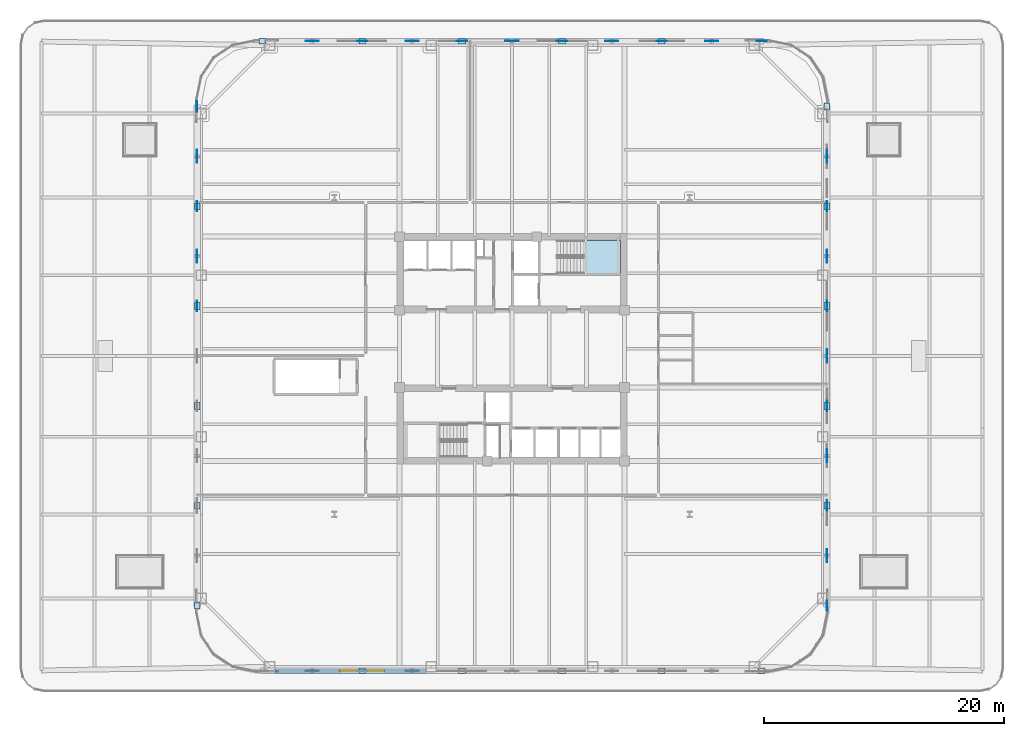
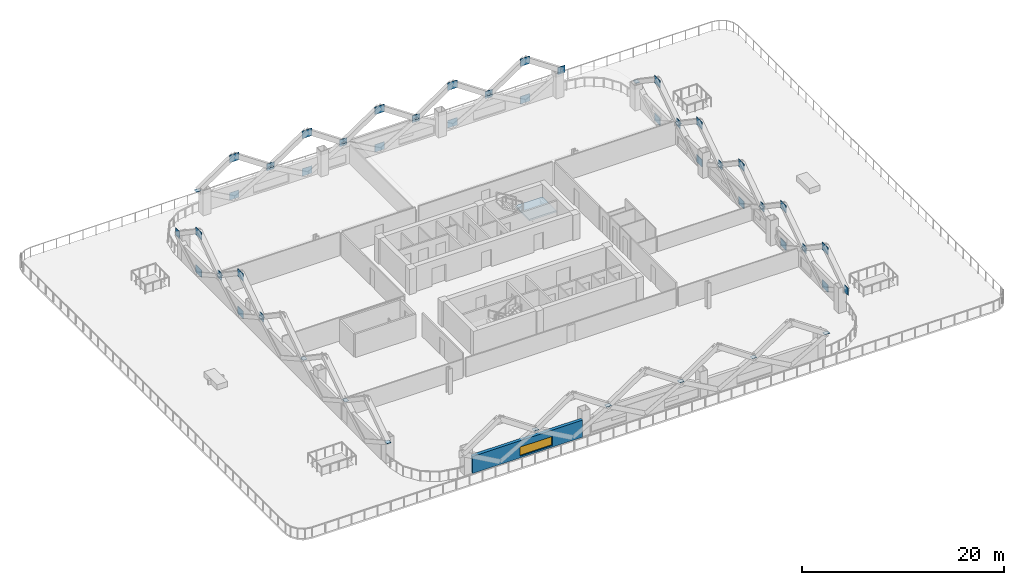
# One storey, part 6 of 17: 57 plates, 1 slab, 1 wall, 1 window, 1 opening, 1 element without a shape of its own.
"""IFC4 building model written with IfcOpenShell, lengths in metres."""

import ifcopenshell
import ifcopenshell.guid

model = None  # the IFC model being written
_history = None  # IfcOwnerHistory: only IFC2X3 demands one
_inside = {}  # id of a spatial element -> (the spatial element, [elements in it])
_under = {}  # id of a project, library or spatial element -> (it, [spatial elements below it])
_declared = {}  # id of a project -> (the project, [libraries it declares])
_typed = {}  # id of a type object -> (the type object, [elements of that type])
_made_of = {}  # id of a material, layer set ... -> (it, [elements and type objects made of it])


def new_model(schema):
    """Start an empty IFC model of exactly this schema.

    Asked for "IFC4X3", IfcOpenShell would pick the latest addendum, in which some entities
    have other attributes; the version numbers below select the first issue.
    IFC2X3 requires an IfcOwnerHistory on every rooted entity: one is made here for all.
    """
    global model, _history
    if schema == "IFC4X3":
        model = ifcopenshell.file(schema_version=(4, 3, 0, 0))
    else:
        model = ifcopenshell.file(schema=schema)
    _inside.clear()
    _under.clear()
    _declared.clear()
    _typed.clear()
    _made_of.clear()
    _history = None
    if model.schema == "IFC2X3":
        org = make("IfcOrganization", Name="unknown")
        user = make(
            "IfcPersonAndOrganization",
            ThePerson=make("IfcPerson", FamilyName="unknown"),
            TheOrganization=org,
        )
        app = make(
            "IfcApplication",
            ApplicationDeveloper=org,
            Version="unknown",
            ApplicationFullName="unknown",
            ApplicationIdentifier="unknown",
        )
        _history = make(
            "IfcOwnerHistory",
            OwningUser=user,
            OwningApplication=app,
            ChangeAction="ADDED",
            CreationDate=0,
        )
    return model


def make(cls, **values):
    """One entity of the class cls with the attributes given. An attribute that is None is left unset."""
    return model.create_entity(
        cls, **{name: value for name, value in values.items() if value is not None}
    )


def rooted(cls, **values):
    """An entity with a GlobalId (a new one), such as an element, a storey or a relation."""
    return make(cls, GlobalId=ifcopenshell.guid.new(), OwnerHistory=_history, **values)


def si_unit(unit_type, name, prefix=None):
    """IfcSIUnit, for example si_unit("LENGTHUNIT", "METRE", prefix="MILLI")."""
    return make("IfcSIUnit", UnitType=unit_type, Prefix=prefix, Name=name)


def assignment(units):
    """IfcUnitAssignment: the units of a project."""
    return None if units is None else make("IfcUnitAssignment", Units=units)


def point(xyz):
    """IfcCartesianPoint."""
    return None if xyz is None else make("IfcCartesianPoint", Coordinates=xyz)


def direction(xyz):
    """IfcDirection."""
    return None if xyz is None else make("IfcDirection", DirectionRatios=xyz)


def frame(location, z_axis=None, x_axis=None):
    """IfcAxis2Placement3D, a coordinate frame: its origin and axes. An axis left out is left unset."""
    return make(
        "IfcAxis2Placement3D",
        Location=point(location),
        Axis=direction(z_axis),
        RefDirection=direction(x_axis),
    )


def frame_2d(location, x_axis=None):
    """IfcAxis2Placement2D, a coordinate frame in the plane: its origin and x axis."""
    return make(
        "IfcAxis2Placement2D", Location=point(location), RefDirection=direction(x_axis)
    )


def origin():
    """The frame at (0, 0, 0) with its axes left unset."""
    return frame((0.0, 0.0, 0.0))


def origin_2d():
    """The frame at (0, 0) in the plane with its x axis left unset."""
    return frame_2d((0.0, 0.0))


def place(relative_to, where):
    """IfcLocalPlacement: puts the frame where relative to a parent placement (None: the world)."""
    return make(
        "IfcLocalPlacement", PlacementRelTo=relative_to, RelativePlacement=where
    )


def context(
    kind, dimensions, precision=None, world=None, true_north=None, identifier=None
):
    """IfcGeometricRepresentationContext, for example the 3D "Model" context."""
    return make(
        "IfcGeometricRepresentationContext",
        ContextIdentifier=identifier,
        ContextType=kind,
        CoordinateSpaceDimension=dimensions,
        Precision=precision,
        WorldCoordinateSystem=world,
        TrueNorth=true_north,
    )


def subcontext(parent, identifier, kind, view, scale=None):
    """IfcGeometricRepresentationSubContext, for example "Body" below "Model"."""
    return make(
        "IfcGeometricRepresentationSubContext",
        ContextIdentifier=identifier,
        ContextType=kind,
        ParentContext=parent,
        TargetScale=scale,
        TargetView=view,
    )


def project(units=None, contexts=None):
    """IfcProject with its units and contexts."""
    return rooted(
        "IfcProject",
        Name="project",
        RepresentationContexts=contexts,
        UnitsInContext=assignment(units),
    )


def spatial(cls, under=None, at=None, **own):
    """A site, building, storey or space (cls), placed at a placement, below another one or the project."""
    s = rooted(cls, ObjectPlacement=at, **own)
    if under is not None:
        _under.setdefault(under.id(), (under, []))[1].append(s)
    return s


def polyline(points):
    """IfcPolyline through the points."""
    return make("IfcPolyline", Points=[point(p) for p in points])


def profile(cls, at=None, kind="AREA", **sizes):
    """A parametric profile (cls). Its sizes go by their IFC names, for example OverallWidth=200.0."""
    return make(cls, ProfileType=kind, Position=at, **sizes)


def rectangle(**sizes):
    """IfcRectangleProfileDef."""
    return profile("IfcRectangleProfileDef", **sizes)


def outline(outer, holes=None, kind="AREA"):
    """IfcArbitraryClosedProfileDef: a profile drawn as a closed curve; with holes, ...WithVoids."""
    if holes is None:
        return make("IfcArbitraryClosedProfileDef", ProfileType=kind, OuterCurve=outer)
    return make(
        "IfcArbitraryProfileDefWithVoids",
        ProfileType=kind,
        OuterCurve=outer,
        InnerCurves=holes,
    )


def extrude(swept, where, along, depth):
    """IfcExtrudedAreaSolid: the profile swept, set in the frame where, extruded along a direction by depth."""
    return make(
        "IfcExtrudedAreaSolid",
        SweptArea=swept,
        Position=where,
        ExtrudedDirection=direction(along),
        Depth=depth,
    )


def shape(context_of_items, identifier, shape_type, items):
    """IfcShapeRepresentation: the items that make up one representation, for example the "Body"."""
    return make(
        "IfcShapeRepresentation",
        ContextOfItems=context_of_items,
        RepresentationIdentifier=identifier,
        RepresentationType=shape_type,
        Items=items,
    )


def material(Name=None, Category=None):
    """IfcMaterial."""
    return make("IfcMaterial", Name=Name, Category=Category)


def layer(
    of_material, thickness, ventilated=None, Name=None, Category=None, Priority=None
):
    """IfcMaterialLayer: one layer of a wall or slab, of a material (None: an air gap)."""
    return make(
        "IfcMaterialLayer",
        Material=of_material,
        LayerThickness=thickness,
        IsVentilated=ventilated,
        Name=Name,
        Category=Category,
        Priority=Priority,
    )


def layer_set(layers, Name=None):
    """IfcMaterialLayerSet."""
    return make("IfcMaterialLayerSet", MaterialLayers=layers, LayerSetName=Name)


def made_of(thing, what):
    """Note that an element or type object is made of a material, layer set ...; save() writes the relation."""
    if what is not None:
        _made_of.setdefault(what.id(), (what, []))[1].append(thing)
    return thing


def type_object(cls, material=None, **own):
    """A type object (cls), such as IfcWallType, which elements share."""
    return made_of(rooted(cls, **own), material)


def element(
    cls,
    number,
    at=None,
    inside=None,
    cuts=None,
    type_object=None,
    material=None,
    context=None,
    identifier="Body",
    shape_type=None,
    held_by="IfcProductDefinitionShape",
    body=None,
    shapes=None,
    **own,
):
    """One element of the class cls, such as IfcWall. Its Tag is "e" and its number.

    at: its placement. inside: the storey or other place that contains it. cuts: it is an
    opening in that element (IfcRelVoidsElement). A single representation is given by context,
    identifier, shape_type and body (its items); several are given by shapes. held_by: the class
    of the entity that holds the representations. save() writes the other relations.
    """
    e = rooted(cls, Tag="e%d" % number, ObjectPlacement=at, **own)
    if body is not None:
        shapes = [shape(context, identifier, shape_type, body)]
    if shapes is not None:
        e.Representation = make(held_by, Representations=shapes)
    if inside is not None:
        _inside.setdefault(inside.id(), (inside, []))[1].append(e)
    if cuts is not None:
        rooted(
            "IfcRelVoidsElement", RelatingBuildingElement=cuts, RelatedOpeningElement=e
        )
    if type_object is not None:
        _typed.setdefault(type_object.id(), (type_object, []))[1].append(e)
    return made_of(e, material)


def fill(opening, filler):
    """IfcRelFillsElement: the door or window that sits in an opening."""
    return rooted(
        "IfcRelFillsElement",
        RelatingOpeningElement=opening,
        RelatedBuildingElement=filler,
    )


def aggregate(whole, parts):
    """IfcRelAggregates: a whole, such as a stair, and the parts it consists of."""
    return rooted("IfcRelAggregates", RelatingObject=whole, RelatedObjects=parts)


def save(model, path):
    """Write the relations noted so far, then the file.

    IfcRelAggregates (storeys below a building ...), IfcRelContainedInSpatialStructure (elements
    in a storey), IfcRelDefinesByType, IfcRelAssociatesMaterial and IfcRelDeclares: one each for
    every whole, place, type object, material and project.
    """
    for whole, parts in _under.values():
        aggregate(whole, parts)
    for where, things in _inside.values():
        rooted(
            "IfcRelContainedInSpatialStructure",
            RelatedElements=things,
            RelatingStructure=where,
        )
    for kind, things in _typed.values():
        rooted("IfcRelDefinesByType", RelatedObjects=things, RelatingType=kind)
    for what, things in _made_of.values():
        rooted("IfcRelAssociatesMaterial", RelatedObjects=things, RelatingMaterial=what)
    for by, libraries in _declared.values():
        rooted("IfcRelDeclares", RelatingContext=by, RelatedDefinitions=libraries)
    model.write(path)


model = new_model("IFC4")

# Units and contexts
model_context = context("Model", 3, precision=1e-05, world=origin(), true_north=direction((0.0, 1.0)))
body_context = subcontext(model_context, "Body", "Model", "MODEL_VIEW")
ifc_project = project(units=[si_unit("LENGTHUNIT", "METRE"), si_unit("AREAUNIT", "SQUARE_METRE"), si_unit("VOLUMEUNIT", "CUBIC_METRE"), si_unit("PLANEANGLEUNIT", "RADIAN"), si_unit("MASSUNIT", "GRAM", prefix="KILO")], contexts=[model_context])

# Site, building, storey
site_placement = place(None, origin())
site = spatial("IfcSite", under=ifc_project, at=site_placement, CompositionType="ELEMENT")
building_placement = place(site_placement, origin())
building = spatial("IfcBuilding", under=site, at=building_placement, Name="Qhalaya Broadcast Tower", CompositionType="ELEMENT")
storey_placement = place(building_placement, frame((0.0, 0.0, 26.10009765625)))
storey = spatial("IfcBuildingStorey", under=building, at=storey_placement, Name="L06", CompositionType="ELEMENT", Elevation=26.10009765625)

# Plates
ifc_material_1 = material(Name="Structural Steel ASTM A572 Grade 50", Category="steel")
ifc_layer_1 = layer(ifc_material_1, 0.054931640625, Name="Structural Steel ASTM A572 Grade 50")
ifc_layer_set_1 = layer_set([ifc_layer_1], Name="Structural Steel ASTM A572 Grade 50")
plate_type_1 = type_object("IfcPlateType", Name="Exoskeleton Diamond Node Gusset Plate NP-01", PredefinedType="USERDEFINED", material=ifc_layer_set_1)
for number, where, z_axis, x_axis, name in (
    (1, (26.239990234375, -16.639892578125, 0.2099609375), (0.0, 0.0, 1.0), (0.0, 1.0, 0.0), "Exoskeleton Diamond Node B1-E1-BOT"),
    (2, (26.239990234375, -16.639892578125, 4.75), (0.0, 0.0, 1.0), (0.0, 1.0, 0.0), "Exoskeleton Diamond Node B1-E1-TOP"),
):
    element("IfcPlate", number, at=place(storey_placement, frame(where, z_axis=z_axis, x_axis=x_axis)), inside=storey, type_object=plate_type_1, Name=name, ObjectType="GUSSET_PLATE", PredefinedType="USERDEFINED", context=body_context, shape_type="SweptSolid", body=[
        extrude(rectangle(XDim=1.10009765625, YDim=0.054931640625, at=origin_2d()), origin(), (0.0, 0.0, 1.0), 0.89990234375),
    ])
plate_1_placement = place(storey_placement, frame((26.239990234375, -20.800048828125, 2.264892578125), z_axis=(0.0, 0.0, 1.0), x_axis=(0.0, 1.0, 0.0)))
element("IfcPlate", 3, at=plate_1_placement, inside=storey, type_object=plate_type_1, Name="Exoskeleton Diamond Node B1-E1-MDL", ObjectType="GUSSET_PLATE", PredefinedType="USERDEFINED", context=body_context, shape_type="SweptSolid", body=[
    extrude(rectangle(XDim=0.85009765625, YDim=0.054931640625, at=origin_2d()), origin(), (0.0, 0.0, 1.0), 0.85009765625),
])
for number, where, z_axis, x_axis, name in (
    (4, (26.239990234375, -8.320068359375, 0.2099609375), (0.0, 0.0, 1.0), (0.0, 1.0, 0.0), "Exoskeleton Diamond Node B1-E2-BOT"),
    (5, (26.239990234375, -8.320068359375, 4.75), (0.0, 0.0, 1.0), (0.0, 1.0, 0.0), "Exoskeleton Diamond Node B1-E2-TOP"),
):
    element("IfcPlate", number, at=place(storey_placement, frame(where, z_axis=z_axis, x_axis=x_axis)), inside=storey, type_object=plate_type_1, Name=name, ObjectType="GUSSET_PLATE", PredefinedType="USERDEFINED", context=body_context, shape_type="SweptSolid", body=[
        extrude(rectangle(XDim=1.10009765625, YDim=0.054931640625, at=origin_2d()), origin(), (0.0, 0.0, 1.0), 0.89990234375),
    ])
plate_2_placement = place(storey_placement, frame((26.239990234375, -12.47998046875, 2.264892578125), z_axis=(0.0, 0.0, 1.0), x_axis=(0.0, 1.0, 0.0)))
element("IfcPlate", 6, at=plate_2_placement, inside=storey, type_object=plate_type_1, Name="Exoskeleton Diamond Node B1-E2-MDL", ObjectType="GUSSET_PLATE", PredefinedType="USERDEFINED", context=body_context, shape_type="SweptSolid", body=[
    extrude(rectangle(XDim=0.85009765625, YDim=0.054931640625, at=origin_2d()), origin(), (0.0, 0.0, 1.0), 0.85009765625),
])
for number, where, z_axis, x_axis, name in (
    (7, (26.239990234375, 0.0, 0.2099609375), (0.0, 0.0, 1.0), (0.0, 1.0, 0.0), "Exoskeleton Diamond Node B1-E3-BOT"),
    (8, (26.239990234375, 0.0, 4.75), (0.0, 0.0, 1.0), (0.0, 1.0, 0.0), "Exoskeleton Diamond Node B1-E3-TOP"),
):
    element("IfcPlate", number, at=place(storey_placement, frame(where, z_axis=z_axis, x_axis=x_axis)), inside=storey, type_object=plate_type_1, Name=name, ObjectType="GUSSET_PLATE", PredefinedType="USERDEFINED", context=body_context, shape_type="SweptSolid", body=[
        extrude(rectangle(XDim=1.10009765625, YDim=0.054931640625, at=origin_2d()), origin(), (0.0, 0.0, 1.0), 0.89990234375),
    ])
plate_3_placement = place(storey_placement, frame((26.239990234375, -4.159912109375, 2.264892578125), z_axis=(0.0, 0.0, 1.0), x_axis=(0.0, 1.0, 0.0)))
element("IfcPlate", 9, at=plate_3_placement, inside=storey, type_object=plate_type_1, Name="Exoskeleton Diamond Node B1-E3-MDL", ObjectType="GUSSET_PLATE", PredefinedType="USERDEFINED", context=body_context, shape_type="SweptSolid", body=[
    extrude(rectangle(XDim=0.85009765625, YDim=0.054931640625, at=origin_2d()), origin(), (0.0, 0.0, 1.0), 0.85009765625),
])
for number, where, z_axis, x_axis, name in (
    (10, (26.239990234375, 8.320068359375, 0.2099609375), (0.0, 0.0, 1.0), (0.0, 1.0, 0.0), "Exoskeleton Diamond Node B1-E4-BOT"),
    (11, (26.239990234375, 8.320068359375, 4.75), (0.0, 0.0, 1.0), (0.0, 1.0, 0.0), "Exoskeleton Diamond Node B1-E4-TOP"),
):
    element("IfcPlate", number, at=place(storey_placement, frame(where, z_axis=z_axis, x_axis=x_axis)), inside=storey, type_object=plate_type_1, Name=name, ObjectType="GUSSET_PLATE", PredefinedType="USERDEFINED", context=body_context, shape_type="SweptSolid", body=[
        extrude(rectangle(XDim=1.10009765625, YDim=0.054931640625, at=origin_2d()), origin(), (0.0, 0.0, 1.0), 0.89990234375),
    ])
plate_4_placement = place(storey_placement, frame((26.239990234375, 4.159912109375, 2.264892578125), z_axis=(0.0, 0.0, 1.0), x_axis=(0.0, 1.0, 0.0)))
element("IfcPlate", 12, at=plate_4_placement, inside=storey, type_object=plate_type_1, Name="Exoskeleton Diamond Node B1-E4-MDL", ObjectType="GUSSET_PLATE", PredefinedType="USERDEFINED", context=body_context, shape_type="SweptSolid", body=[
    extrude(rectangle(XDim=0.85009765625, YDim=0.054931640625, at=origin_2d()), origin(), (0.0, 0.0, 1.0), 0.85009765625),
])
for number, where, z_axis, x_axis, name in (
    (13, (26.239990234375, 16.639892578125, 0.2099609375), (0.0, 0.0, 1.0), (0.0, 1.0, 0.0), "Exoskeleton Diamond Node B1-E5-BOT"),
    (14, (26.239990234375, 16.639892578125, 4.75), (0.0, 0.0, 1.0), (0.0, 1.0, 0.0), "Exoskeleton Diamond Node B1-E5-TOP"),
):
    element("IfcPlate", number, at=place(storey_placement, frame(where, z_axis=z_axis, x_axis=x_axis)), inside=storey, type_object=plate_type_1, Name=name, ObjectType="GUSSET_PLATE", PredefinedType="USERDEFINED", context=body_context, shape_type="SweptSolid", body=[
        extrude(rectangle(XDim=1.10009765625, YDim=0.054931640625, at=origin_2d()), origin(), (0.0, 0.0, 1.0), 0.89990234375),
    ])
plate_5_placement = place(storey_placement, frame((26.239990234375, 12.47998046875, 2.264892578125), z_axis=(0.0, 0.0, 1.0), x_axis=(0.0, 1.0, 0.0)))
element("IfcPlate", 15, at=plate_5_placement, inside=storey, type_object=plate_type_1, Name="Exoskeleton Diamond Node B1-E5-MDL", ObjectType="GUSSET_PLATE", PredefinedType="USERDEFINED", context=body_context, shape_type="SweptSolid", body=[
    extrude(rectangle(XDim=0.85009765625, YDim=0.054931640625, at=origin_2d()), origin(), (0.0, 0.0, 1.0), 0.85009765625),
])
for number, where, z_axis, x_axis, name in (
    (16, (16.639892578125, 26.239990234375, 0.2099609375), (0.0, 0.0, 1.0), (1.0, 0.0, 0.0), "Exoskeleton Diamond Node B1-N1-BOT"),
    (17, (16.639892578125, 26.239990234375, 4.75), (0.0, 0.0, 1.0), (1.0, 0.0, 0.0), "Exoskeleton Diamond Node B1-N1-TOP"),
):
    element("IfcPlate", number, at=place(storey_placement, frame(where, z_axis=z_axis, x_axis=x_axis)), inside=storey, type_object=plate_type_1, Name=name, ObjectType="GUSSET_PLATE", PredefinedType="USERDEFINED", context=body_context, shape_type="SweptSolid", body=[
        extrude(rectangle(XDim=1.10009765625, YDim=0.054931640625, at=origin_2d()), origin(), (0.0, 0.0, 1.0), 0.89990234375),
    ])
plate_6_placement = place(storey_placement, frame((20.800048828125, 26.239990234375, 2.264892578125), z_axis=(0.0, 0.0, 1.0), x_axis=(1.0, 0.0, 0.0)))
element("IfcPlate", 18, at=plate_6_placement, inside=storey, type_object=plate_type_1, Name="Exoskeleton Diamond Node B1-N1-MDL", ObjectType="GUSSET_PLATE", PredefinedType="USERDEFINED", context=body_context, shape_type="SweptSolid", body=[
    extrude(rectangle(XDim=0.85009765625, YDim=0.054931640625, at=origin_2d()), origin(), (0.0, 0.0, 1.0), 0.85009765625),
])
for number, where, z_axis, x_axis, name in (
    (19, (8.320068359375, 26.239990234375, 0.2099609375), (0.0, 0.0, 1.0), (1.0, 0.0, 0.0), "Exoskeleton Diamond Node B1-N2-BOT"),
    (20, (8.320068359375, 26.239990234375, 4.75), (0.0, 0.0, 1.0), (1.0, 0.0, 0.0), "Exoskeleton Diamond Node B1-N2-TOP"),
):
    element("IfcPlate", number, at=place(storey_placement, frame(where, z_axis=z_axis, x_axis=x_axis)), inside=storey, type_object=plate_type_1, Name=name, ObjectType="GUSSET_PLATE", PredefinedType="USERDEFINED", context=body_context, shape_type="SweptSolid", body=[
        extrude(rectangle(XDim=1.10009765625, YDim=0.054931640625, at=origin_2d()), origin(), (0.0, 0.0, 1.0), 0.89990234375),
    ])
plate_7_placement = place(storey_placement, frame((12.47998046875, 26.239990234375, 2.264892578125), z_axis=(0.0, 0.0, 1.0), x_axis=(1.0, 0.0, 0.0)))
element("IfcPlate", 21, at=plate_7_placement, inside=storey, type_object=plate_type_1, Name="Exoskeleton Diamond Node B1-N2-MDL", ObjectType="GUSSET_PLATE", PredefinedType="USERDEFINED", context=body_context, shape_type="SweptSolid", body=[
    extrude(rectangle(XDim=0.85009765625, YDim=0.054931640625, at=origin_2d()), origin(), (0.0, 0.0, 1.0), 0.85009765625),
])
for number, where, z_axis, x_axis, name in (
    (22, (0.0, 26.239990234375, 0.2099609375), (0.0, 0.0, 1.0), (1.0, 0.0, 0.0), "Exoskeleton Diamond Node B1-N3-BOT"),
    (23, (0.0, 26.239990234375, 4.75), (0.0, 0.0, 1.0), (1.0, 0.0, 0.0), "Exoskeleton Diamond Node B1-N3-TOP"),
):
    element("IfcPlate", number, at=place(storey_placement, frame(where, z_axis=z_axis, x_axis=x_axis)), inside=storey, type_object=plate_type_1, Name=name, ObjectType="GUSSET_PLATE", PredefinedType="USERDEFINED", context=body_context, shape_type="SweptSolid", body=[
        extrude(rectangle(XDim=1.10009765625, YDim=0.054931640625, at=origin_2d()), origin(), (0.0, 0.0, 1.0), 0.89990234375),
    ])
plate_8_placement = place(storey_placement, frame((4.159912109375, 26.239990234375, 2.264892578125), z_axis=(0.0, 0.0, 1.0), x_axis=(1.0, 0.0, 0.0)))
element("IfcPlate", 24, at=plate_8_placement, inside=storey, type_object=plate_type_1, Name="Exoskeleton Diamond Node B1-N3-MDL", ObjectType="GUSSET_PLATE", PredefinedType="USERDEFINED", context=body_context, shape_type="SweptSolid", body=[
    extrude(rectangle(XDim=0.85009765625, YDim=0.054931640625, at=origin_2d()), origin(), (0.0, 0.0, 1.0), 0.85009765625),
])
for number, where, z_axis, x_axis, name in (
    (25, (-8.320068359375, 26.239990234375, 0.2099609375), (0.0, 0.0, 1.0), (1.0, 0.0, 0.0), "Exoskeleton Diamond Node B1-N4-BOT"),
    (26, (-8.320068359375, 26.239990234375, 4.75), (0.0, 0.0, 1.0), (1.0, 0.0, 0.0), "Exoskeleton Diamond Node B1-N4-TOP"),
):
    element("IfcPlate", number, at=place(storey_placement, frame(where, z_axis=z_axis, x_axis=x_axis)), inside=storey, type_object=plate_type_1, Name=name, ObjectType="GUSSET_PLATE", PredefinedType="USERDEFINED", context=body_context, shape_type="SweptSolid", body=[
        extrude(rectangle(XDim=1.10009765625, YDim=0.054931640625, at=origin_2d()), origin(), (0.0, 0.0, 1.0), 0.89990234375),
    ])
plate_9_placement = place(storey_placement, frame((-4.159912109375, 26.239990234375, 2.264892578125), z_axis=(0.0, 0.0, 1.0), x_axis=(1.0, 0.0, 0.0)))
element("IfcPlate", 27, at=plate_9_placement, inside=storey, type_object=plate_type_1, Name="Exoskeleton Diamond Node B1-N4-MDL", ObjectType="GUSSET_PLATE", PredefinedType="USERDEFINED", context=body_context, shape_type="SweptSolid", body=[
    extrude(rectangle(XDim=0.85009765625, YDim=0.054931640625, at=origin_2d()), origin(), (0.0, 0.0, 1.0), 0.85009765625),
])
for number, where, z_axis, x_axis, name in (
    (28, (-16.639892578125, 26.239990234375, 0.2099609375), (0.0, 0.0, 1.0), (1.0, 0.0, 0.0), "Exoskeleton Diamond Node B1-N5-BOT"),
    (29, (-16.639892578125, 26.239990234375, 4.75), (0.0, 0.0, 1.0), (1.0, 0.0, 0.0), "Exoskeleton Diamond Node B1-N5-TOP"),
):
    element("IfcPlate", number, at=place(storey_placement, frame(where, z_axis=z_axis, x_axis=x_axis)), inside=storey, type_object=plate_type_1, Name=name, ObjectType="GUSSET_PLATE", PredefinedType="USERDEFINED", context=body_context, shape_type="SweptSolid", body=[
        extrude(rectangle(XDim=1.10009765625, YDim=0.054931640625, at=origin_2d()), origin(), (0.0, 0.0, 1.0), 0.89990234375),
    ])
plate_10_placement = place(storey_placement, frame((-12.47998046875, 26.239990234375, 2.264892578125), z_axis=(0.0, 0.0, 1.0), x_axis=(1.0, 0.0, 0.0)))
element("IfcPlate", 30, at=plate_10_placement, inside=storey, type_object=plate_type_1, Name="Exoskeleton Diamond Node B1-N5-MDL", ObjectType="GUSSET_PLATE", PredefinedType="USERDEFINED", context=body_context, shape_type="SweptSolid", body=[
    extrude(rectangle(XDim=0.85009765625, YDim=0.054931640625, at=origin_2d()), origin(), (0.0, 0.0, 1.0), 0.85009765625),
])
for number, where, z_axis, x_axis, name in (
    (31, (-26.239990234375, 16.639892578125, 0.2099609375), (0.0, 0.0, 1.0), (0.0, 1.0, 0.0), "Exoskeleton Diamond Node B1-W1-BOT"),
    (32, (-26.239990234375, 16.639892578125, 4.75), (0.0, 0.0, 1.0), (0.0, 1.0, 0.0), "Exoskeleton Diamond Node B1-W1-TOP"),
):
    element("IfcPlate", number, at=place(storey_placement, frame(where, z_axis=z_axis, x_axis=x_axis)), inside=storey, type_object=plate_type_1, Name=name, ObjectType="GUSSET_PLATE", PredefinedType="USERDEFINED", context=body_context, shape_type="SweptSolid", body=[
        extrude(rectangle(XDim=1.10009765625, YDim=0.054931640625, at=origin_2d()), origin(), (0.0, 0.0, 1.0), 0.89990234375),
    ])
plate_11_placement = place(storey_placement, frame((-26.239990234375, 20.800048828125, 2.264892578125), z_axis=(0.0, 0.0, 1.0), x_axis=(0.0, 1.0, 0.0)))
element("IfcPlate", 33, at=plate_11_placement, inside=storey, type_object=plate_type_1, Name="Exoskeleton Diamond Node B1-W1-MDL", ObjectType="GUSSET_PLATE", PredefinedType="USERDEFINED", context=body_context, shape_type="SweptSolid", body=[
    extrude(rectangle(XDim=0.85009765625, YDim=0.054931640625, at=origin_2d()), origin(), (0.0, 0.0, 1.0), 0.85009765625),
])
for number, where, z_axis, x_axis, name in (
    (34, (-26.239990234375, 8.320068359375, 0.2099609375), (0.0, 0.0, 1.0), (0.0, 1.0, 0.0), "Exoskeleton Diamond Node B1-W2-BOT"),
    (35, (-26.239990234375, 8.320068359375, 4.75), (0.0, 0.0, 1.0), (0.0, 1.0, 0.0), "Exoskeleton Diamond Node B1-W2-TOP"),
):
    element("IfcPlate", number, at=place(storey_placement, frame(where, z_axis=z_axis, x_axis=x_axis)), inside=storey, type_object=plate_type_1, Name=name, ObjectType="GUSSET_PLATE", PredefinedType="USERDEFINED", context=body_context, shape_type="SweptSolid", body=[
        extrude(rectangle(XDim=1.10009765625, YDim=0.054931640625, at=origin_2d()), origin(), (0.0, 0.0, 1.0), 0.89990234375),
    ])
for number, where, z_axis, x_axis, name in (
    (36, (-26.239990234375, 12.47998046875, 2.264892578125), (0.0, 0.0, 1.0), (0.0, 1.0, 0.0), "Exoskeleton Diamond Node B1-W2-MDL"),
    (37, (-26.239990234375, 4.159912109375, 2.264892578125), (0.0, 0.0, 1.0), (0.0, 1.0, 0.0), "Exoskeleton Diamond Node B1-W3-MDL"),
):
    element("IfcPlate", number, at=place(storey_placement, frame(where, z_axis=z_axis, x_axis=x_axis)), inside=storey, type_object=plate_type_1, Name=name, ObjectType="GUSSET_PLATE", PredefinedType="USERDEFINED", context=body_context, shape_type="SweptSolid", body=[
        extrude(rectangle(XDim=0.85009765625, YDim=0.054931640625, at=origin_2d()), origin(), (0.0, 0.0, 1.0), 0.85009765625),
    ])
ifc_layer_2 = layer(ifc_material_1, 0.4599609375, Name="Structural Steel ASTM A572 Grade 50")
ifc_layer_set_2 = layer_set([ifc_layer_2], Name="Structural Steel ASTM A572 Grade 50")
plate_type_2 = type_object("IfcPlateType", Name="Hollow Box Member End Cap Plate CP-01", PredefinedType="USERDEFINED", material=ifc_layer_set_2)
for number, where, z_axis, x_axis, name in (
    (38, (-12.47998046875, -26.239990234375, 2.673828125), (0.0, 0.0, 1.0), (1.0, 0.0, 0.0), "Exoskeleton Hollow End Cap B1-S1"),
    (39, (-4.159912109375, -26.239990234375, 2.673828125), (0.0, 0.0, 1.0), (1.0, 0.0, 0.0), "Exoskeleton Hollow End Cap B1-S2"),
    (40, (4.159912109375, -26.239990234375, 2.673828125), (0.0, 0.0, 1.0), (1.0, 0.0, 0.0), "Exoskeleton Hollow End Cap B1-S3"),
    (41, (12.47998046875, -26.239990234375, 2.673828125), (0.0, 0.0, 1.0), (1.0, 0.0, 0.0), "Exoskeleton Hollow End Cap B1-S4"),
    (42, (20.800048828125, -26.239990234375, 2.673828125), (0.0, 0.0, 1.0), (1.0, 0.0, 0.0), "Exoskeleton Hollow End Cap B1-S5"),
    (43, (26.239990234375, -12.47998046875, 2.673828125), (0.0, 0.0, 1.0), (0.0, 1.0, 0.0), "Exoskeleton Hollow End Cap B1-E1"),
    (44, (26.239990234375, -4.159912109375, 2.673828125), (0.0, 0.0, 1.0), (0.0, 1.0, 0.0), "Exoskeleton Hollow End Cap B1-E2"),
    (45, (26.239990234375, 4.159912109375, 2.673828125), (0.0, 0.0, 1.0), (0.0, 1.0, 0.0), "Exoskeleton Hollow End Cap B1-E3"),
    (46, (26.239990234375, 12.47998046875, 2.673828125), (0.0, 0.0, 1.0), (0.0, 1.0, 0.0), "Exoskeleton Hollow End Cap B1-E4"),
    (47, (26.239990234375, 20.800048828125, 2.673828125), (0.0, 0.0, 1.0), (0.0, 1.0, 0.0), "Exoskeleton Hollow End Cap B1-E5"),
    (48, (12.47998046875, 26.239990234375, 2.673828125), (0.0, 0.0, 1.0), (1.0, 0.0, 0.0), "Exoskeleton Hollow End Cap B1-N1"),
    (49, (4.159912109375, 26.239990234375, 2.673828125), (0.0, 0.0, 1.0), (1.0, 0.0, 0.0), "Exoskeleton Hollow End Cap B1-N2"),
    (50, (-4.159912109375, 26.239990234375, 2.673828125), (0.0, 0.0, 1.0), (1.0, 0.0, 0.0), "Exoskeleton Hollow End Cap B1-N3"),
    (51, (-12.47998046875, 26.239990234375, 2.673828125), (0.0, 0.0, 1.0), (1.0, 0.0, 0.0), "Exoskeleton Hollow End Cap B1-N4"),
    (52, (-20.800048828125, 26.239990234375, 2.673828125), (0.0, 0.0, 1.0), (1.0, 0.0, 0.0), "Exoskeleton Hollow End Cap B1-N5"),
    (53, (-26.239990234375, 12.47998046875, 2.673828125), (0.0, 0.0, 1.0), (0.0, 1.0, 0.0), "Exoskeleton Hollow End Cap B1-W1"),
    (54, (-26.239990234375, 4.159912109375, 2.673828125), (0.0, 0.0, 1.0), (0.0, 1.0, 0.0), "Exoskeleton Hollow End Cap B1-W2"),
    (55, (-26.239990234375, -4.159912109375, 2.673828125), (0.0, 0.0, 1.0), (0.0, 1.0, 0.0), "Exoskeleton Hollow End Cap B1-W3"),
    (56, (-26.239990234375, -12.47998046875, 2.673828125), (0.0, 0.0, 1.0), (0.0, 1.0, 0.0), "Exoskeleton Hollow End Cap B1-W4"),
    (57, (-26.239990234375, -20.800048828125, 2.673828125), (0.0, 0.0, 1.0), (0.0, 1.0, 0.0), "Exoskeleton Hollow End Cap B1-W5"),
):
    element("IfcPlate", number, at=place(storey_placement, frame(where, z_axis=z_axis, x_axis=x_axis)), inside=storey, type_object=plate_type_2, Name=name, ObjectType="COVER_PLATE", PredefinedType="USERDEFINED", context=body_context, shape_type="SweptSolid", body=[
        extrude(rectangle(XDim=0.56005859375, YDim=0.4599609375, at=origin_2d()), origin(), (0.0, 0.0, 1.0), 0.031982421875),
    ])

# Stair, slab
ifc_material_2 = material(Name="Concrete C40/50", Category="concrete")
stair_type = type_object("IfcStairType", Name="Protected Dogleg Core Stair 3150", PredefinedType="TWO_STRAIGHT_RUN_STAIR", material=ifc_material_2)
stair_placement = place(storey_placement, origin())
stair = element("IfcStair", 58, at=stair_placement, inside=storey, type_object=stair_type, Name="L06 North Core Exit Stair ST-1", PredefinedType="TWO_STRAIGHT_RUN_STAIR")
ifc_layer_3 = layer(ifc_material_2, 0.199951171875, Name="Concrete C40/50")
ifc_layer_set_3 = layer_set([ifc_layer_3], Name="Concrete C40/50")
slab_type = type_object("IfcSlabType", Name="Stair & Ramp Half-Landing Slab 200", PredefinedType="LANDING", material=ifc_layer_set_3)
slab_placement = place(storey_placement, frame((0.0, 0.0, 1.324951171875)))
slab = element("IfcSlab", 59, at=slab_placement, type_object=slab_type, Name="ST-1 landing 1", PredefinedType="LANDING", context=body_context, shape_type="SweptSolid", body=[
    extrude(outline(polyline([(5.955078125, 6.8798828125), (9.050048828125, 6.8798828125), (9.050048828125, 9.639892578125), (5.955078125, 9.639892578125), (5.955078125, 6.8798828125)])), origin(), (0.0, 0.0, 1.0), 0.199951171875),
])
aggregate(stair, [slab])

# Wall, opening, window
ifc_material_3 = material(Name="Precast Concrete C40/50", Category="concrete")
ifc_layer_4 = layer(ifc_material_3, 0.360107421875, Name="Precast Concrete C40/50")
ifc_layer_set_4 = layer_set([ifc_layer_4], Name="Precast Concrete C40/50")
wall_type = type_object("IfcWallType", Name="Insulated Precast Terracotta Exterior Wall 360", PredefinedType="SOLIDWALL", material=ifc_layer_set_4)
wall_placement = place(storey_placement, frame((-7.183349609375, -26.260009765625, 0.0), z_axis=(0.0, 0.0, 1.0), x_axis=(-1.0, 0.0, 0.0)))
wall = element("IfcWall", 60, at=wall_placement, inside=storey, type_object=wall_type, Name="L06 Exoskeleton Diagrid Infill Wall S3", PredefinedType="SOLIDWALL", context=body_context, shape_type="SweptSolid", body=[
    extrude(rectangle(XDim=12.57861328125, YDim=0.360107421875, at=frame_2d((6.289306640625, 0.0))), origin(), (0.0, 0.0, 1.0), 2.06689453125),
])
opening_placement = place(wall_placement, frame((3.455078125, 0.0, 0.199951171875)))
opening = element("IfcOpeningElement", 61, at=opening_placement, cuts=wall, Name="Opening W11", PredefinedType="OPENING", context=body_context, shape_type="SweptSolid", body=[
    extrude(rectangle(XDim=3.699951171875, YDim=1.10009765625, at=frame_2d((1.85009765625, 0.550048828125))), frame((0.0, 0.192138671875, 0.0), z_axis=(0.0, -1.0, 0.0), x_axis=(1.0, 0.0, 0.0)), (0.0, 0.0, 1.0), 0.384033203125),
])
ifc_material_4 = material(Name="Solar-Control Low-E Triple Glazing", Category="glass")
window_type = type_object("IfcWindowType", Name="Odd-Block Diagrid Infill Window W11", PartitioningType="SINGLE_PANEL", PredefinedType="WINDOW", material=ifc_material_4)
window_placement = place(opening_placement, origin())
window = element("IfcWindow", 62, at=window_placement, inside=storey, type_object=window_type, Name="L06 Diagrid Infill Window W11-S4", OverallHeight=1.10009765625, OverallWidth=3.699951171875, PartitioningType="SINGLE_PANEL", PredefinedType="WINDOW", context=body_context, shape_type="SweptSolid", body=[
    extrude(rectangle(XDim=3.699951171875, YDim=1.10009765625, at=frame_2d((1.85009765625, 0.550048828125))), frame((0.0, 0.030029296875, 0.0), z_axis=(0.0, -1.0, 0.0), x_axis=(1.0, 0.0, 0.0)), (0.0, 0.0, 1.0), 0.06005859375),
])
fill(opening, window)

save(model, "model.ifc")
